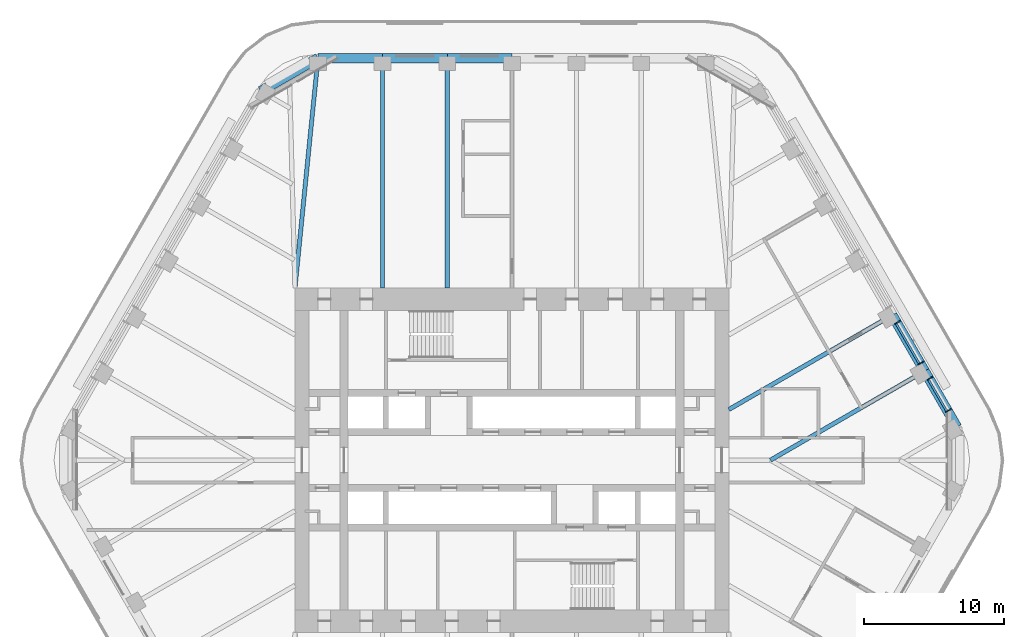
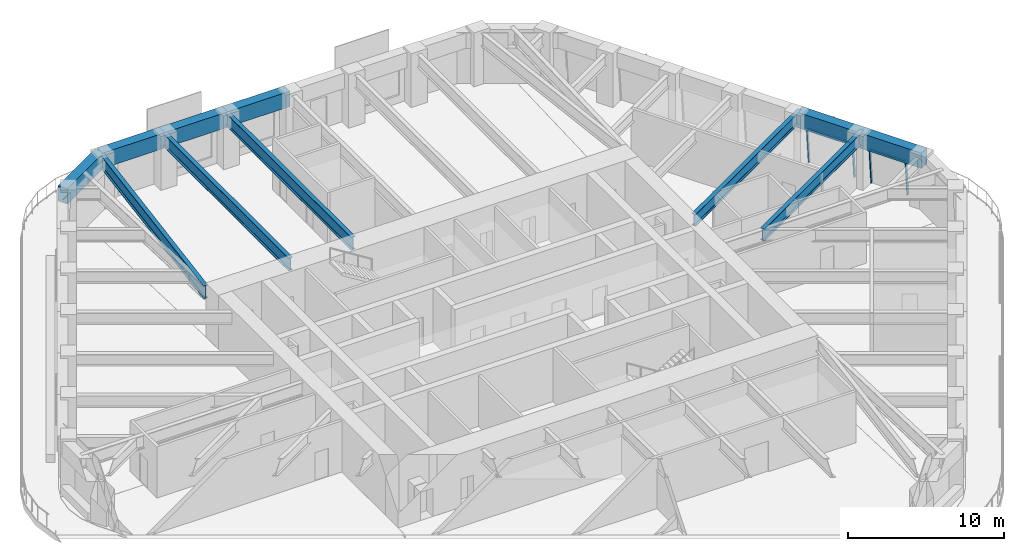
# One storey, part 9 of 20: 11 beams, 6 members, 2 elements without a shape of their own.
"""IFC4 building model written with IfcOpenShell, lengths in metres."""

import ifcopenshell
import ifcopenshell.guid

model = None  # the IFC model being written
_history = None  # IfcOwnerHistory: only IFC2X3 demands one
_inside = {}  # id of a spatial element -> (the spatial element, [elements in it])
_under = {}  # id of a project, library or spatial element -> (it, [spatial elements below it])
_declared = {}  # id of a project -> (the project, [libraries it declares])
_typed = {}  # id of a type object -> (the type object, [elements of that type])
_made_of = {}  # id of a material, layer set ... -> (it, [elements and type objects made of it])


def new_model(schema):
    """Start an empty IFC model of exactly this schema.

    Asked for "IFC4X3", IfcOpenShell would pick the latest addendum, in which some entities
    have other attributes; the version numbers below select the first issue.
    IFC2X3 requires an IfcOwnerHistory on every rooted entity: one is made here for all.
    """
    global model, _history
    if schema == "IFC4X3":
        model = ifcopenshell.file(schema_version=(4, 3, 0, 0))
    else:
        model = ifcopenshell.file(schema=schema)
    _inside.clear()
    _under.clear()
    _declared.clear()
    _typed.clear()
    _made_of.clear()
    _history = None
    if model.schema == "IFC2X3":
        org = make("IfcOrganization", Name="unknown")
        user = make(
            "IfcPersonAndOrganization",
            ThePerson=make("IfcPerson", FamilyName="unknown"),
            TheOrganization=org,
        )
        app = make(
            "IfcApplication",
            ApplicationDeveloper=org,
            Version="unknown",
            ApplicationFullName="unknown",
            ApplicationIdentifier="unknown",
        )
        _history = make(
            "IfcOwnerHistory",
            OwningUser=user,
            OwningApplication=app,
            ChangeAction="ADDED",
            CreationDate=0,
        )
    return model


def make(cls, **values):
    """One entity of the class cls with the attributes given. An attribute that is None is left unset."""
    return model.create_entity(
        cls, **{name: value for name, value in values.items() if value is not None}
    )


def rooted(cls, **values):
    """An entity with a GlobalId (a new one), such as an element, a storey or a relation."""
    return make(cls, GlobalId=ifcopenshell.guid.new(), OwnerHistory=_history, **values)


def si_unit(unit_type, name, prefix=None):
    """IfcSIUnit, for example si_unit("LENGTHUNIT", "METRE", prefix="MILLI")."""
    return make("IfcSIUnit", UnitType=unit_type, Prefix=prefix, Name=name)


def assignment(units):
    """IfcUnitAssignment: the units of a project."""
    return None if units is None else make("IfcUnitAssignment", Units=units)


def point(xyz):
    """IfcCartesianPoint."""
    return None if xyz is None else make("IfcCartesianPoint", Coordinates=xyz)


def direction(xyz):
    """IfcDirection."""
    return None if xyz is None else make("IfcDirection", DirectionRatios=xyz)


def frame(location, z_axis=None, x_axis=None):
    """IfcAxis2Placement3D, a coordinate frame: its origin and axes. An axis left out is left unset."""
    return make(
        "IfcAxis2Placement3D",
        Location=point(location),
        Axis=direction(z_axis),
        RefDirection=direction(x_axis),
    )


def frame_2d(location, x_axis=None):
    """IfcAxis2Placement2D, a coordinate frame in the plane: its origin and x axis."""
    return make(
        "IfcAxis2Placement2D", Location=point(location), RefDirection=direction(x_axis)
    )


def origin():
    """The frame at (0, 0, 0) with its axes left unset."""
    return frame((0.0, 0.0, 0.0))


def origin_2d():
    """The frame at (0, 0) in the plane with its x axis left unset."""
    return frame_2d((0.0, 0.0))


def place(relative_to, where):
    """IfcLocalPlacement: puts the frame where relative to a parent placement (None: the world)."""
    return make(
        "IfcLocalPlacement", PlacementRelTo=relative_to, RelativePlacement=where
    )


def context(
    kind, dimensions, precision=None, world=None, true_north=None, identifier=None
):
    """IfcGeometricRepresentationContext, for example the 3D "Model" context."""
    return make(
        "IfcGeometricRepresentationContext",
        ContextIdentifier=identifier,
        ContextType=kind,
        CoordinateSpaceDimension=dimensions,
        Precision=precision,
        WorldCoordinateSystem=world,
        TrueNorth=true_north,
    )


def subcontext(parent, identifier, kind, view, scale=None):
    """IfcGeometricRepresentationSubContext, for example "Body" below "Model"."""
    return make(
        "IfcGeometricRepresentationSubContext",
        ContextIdentifier=identifier,
        ContextType=kind,
        ParentContext=parent,
        TargetScale=scale,
        TargetView=view,
    )


def project(units=None, contexts=None):
    """IfcProject with its units and contexts."""
    return rooted(
        "IfcProject",
        Name="project",
        RepresentationContexts=contexts,
        UnitsInContext=assignment(units),
    )


def spatial(cls, under=None, at=None, **own):
    """A site, building, storey or space (cls), placed at a placement, below another one or the project."""
    s = rooted(cls, ObjectPlacement=at, **own)
    if under is not None:
        _under.setdefault(under.id(), (under, []))[1].append(s)
    return s


def profile(cls, at=None, kind="AREA", **sizes):
    """A parametric profile (cls). Its sizes go by their IFC names, for example OverallWidth=200.0."""
    return make(cls, ProfileType=kind, Position=at, **sizes)


def rectangle(**sizes):
    """IfcRectangleProfileDef."""
    return profile("IfcRectangleProfileDef", **sizes)


def i_section(**sizes):
    """IfcIShapeProfileDef."""
    return profile("IfcIShapeProfileDef", **sizes)


def extrude(swept, where, along, depth):
    """IfcExtrudedAreaSolid: the profile swept, set in the frame where, extruded along a direction by depth."""
    return make(
        "IfcExtrudedAreaSolid",
        SweptArea=swept,
        Position=where,
        ExtrudedDirection=direction(along),
        Depth=depth,
    )


def shape(context_of_items, identifier, shape_type, items):
    """IfcShapeRepresentation: the items that make up one representation, for example the "Body"."""
    return make(
        "IfcShapeRepresentation",
        ContextOfItems=context_of_items,
        RepresentationIdentifier=identifier,
        RepresentationType=shape_type,
        Items=items,
    )


def material(Name=None, Category=None):
    """IfcMaterial."""
    return make("IfcMaterial", Name=Name, Category=Category)


def material_profile(
    of_material, cross_section, Name=None, Category=None, Priority=None
):
    """IfcMaterialProfile: a cross section and its material."""
    return make(
        "IfcMaterialProfile",
        Name=Name,
        Material=of_material,
        Profile=cross_section,
        Priority=Priority,
        Category=Category,
    )


def profile_set(profiles, Name=None, composite=None):
    """IfcMaterialProfileSet."""
    return make(
        "IfcMaterialProfileSet",
        Name=Name,
        MaterialProfiles=profiles,
        CompositeProfile=composite,
    )


def made_of(thing, what):
    """Note that an element or type object is made of a material, layer set ...; save() writes the relation."""
    if what is not None:
        _made_of.setdefault(what.id(), (what, []))[1].append(thing)
    return thing


def type_object(cls, material=None, **own):
    """A type object (cls), such as IfcWallType, which elements share."""
    return made_of(rooted(cls, **own), material)


def element(
    cls,
    number,
    at=None,
    inside=None,
    cuts=None,
    type_object=None,
    material=None,
    context=None,
    identifier="Body",
    shape_type=None,
    held_by="IfcProductDefinitionShape",
    body=None,
    shapes=None,
    **own,
):
    """One element of the class cls, such as IfcWall. Its Tag is "e" and its number.

    at: its placement. inside: the storey or other place that contains it. cuts: it is an
    opening in that element (IfcRelVoidsElement). A single representation is given by context,
    identifier, shape_type and body (its items); several are given by shapes. held_by: the class
    of the entity that holds the representations. save() writes the other relations.
    """
    e = rooted(cls, Tag="e%d" % number, ObjectPlacement=at, **own)
    if body is not None:
        shapes = [shape(context, identifier, shape_type, body)]
    if shapes is not None:
        e.Representation = make(held_by, Representations=shapes)
    if inside is not None:
        _inside.setdefault(inside.id(), (inside, []))[1].append(e)
    if cuts is not None:
        rooted(
            "IfcRelVoidsElement", RelatingBuildingElement=cuts, RelatedOpeningElement=e
        )
    if type_object is not None:
        _typed.setdefault(type_object.id(), (type_object, []))[1].append(e)
    return made_of(e, material)


def aggregate(whole, parts):
    """IfcRelAggregates: a whole, such as a stair, and the parts it consists of."""
    return rooted("IfcRelAggregates", RelatingObject=whole, RelatedObjects=parts)


def save(model, path):
    """Write the relations noted so far, then the file.

    IfcRelAggregates (storeys below a building ...), IfcRelContainedInSpatialStructure (elements
    in a storey), IfcRelDefinesByType, IfcRelAssociatesMaterial and IfcRelDeclares: one each for
    every whole, place, type object, material and project.
    """
    for whole, parts in _under.values():
        aggregate(whole, parts)
    for where, things in _inside.values():
        rooted(
            "IfcRelContainedInSpatialStructure",
            RelatedElements=things,
            RelatingStructure=where,
        )
    for kind, things in _typed.values():
        rooted("IfcRelDefinesByType", RelatedObjects=things, RelatingType=kind)
    for what, things in _made_of.values():
        rooted("IfcRelAssociatesMaterial", RelatedObjects=things, RelatingMaterial=what)
    for by, libraries in _declared.values():
        rooted("IfcRelDeclares", RelatingContext=by, RelatedDefinitions=libraries)
    model.write(path)


model = new_model("IFC4")

# Units and contexts
model_context = context("Model", 3, precision=1e-05, world=origin(), true_north=direction((0.0, 1.0)))
body_context = subcontext(model_context, "Body", "Model", "MODEL_VIEW")
ifc_project = project(units=[si_unit("LENGTHUNIT", "METRE"), si_unit("AREAUNIT", "SQUARE_METRE"), si_unit("VOLUMEUNIT", "CUBIC_METRE"), si_unit("PLANEANGLEUNIT", "RADIAN"), si_unit("MASSUNIT", "GRAM", prefix="KILO")], contexts=[model_context])

# Site, building, storey
site_placement = place(None, origin())
site = spatial("IfcSite", under=ifc_project, at=site_placement, CompositionType="ELEMENT")
building_placement = place(site_placement, origin())
building = spatial("IfcBuilding", under=site, at=building_placement, Name="Tarfa Lantern Tower", CompositionType="ELEMENT")
storey_placement = place(building_placement, frame((0.0, 0.0, 257.5)))
storey = spatial("IfcBuildingStorey", under=building, at=storey_placement, Name="L58", CompositionType="ELEMENT", Elevation=257.5)

# Curtain wall, members
ifc_material_1 = material(Name="Aluminium framed curtain wall", Category="aluminium")
curtain_wall_type = type_object("IfcCurtainWallType", Name="CW3 CANTED GLAZING HIGH ZONE 2800", PredefinedType="USERDEFINED", material=ifc_material_1)
curtain_wall_1_placement = place(storey_placement, origin())
curtain_wall_1 = element("IfcCurtainWall", 1, at=curtain_wall_1_placement, inside=storey, type_object=curtain_wall_type, Name="CW3 NE L58", ObjectType="CURTAIN WALL", PredefinedType="USERDEFINED")
ifc_material_2 = material(Name="Aluminium mullion", Category="aluminium")
ifc_material_profile_1 = material_profile(ifc_material_2, rectangle(XDim=0.06494140625, YDim=0.199951171875, at=origin_2d()), Name="AL MULLION 65x200")
ifc_profile_set_1 = profile_set([ifc_material_profile_1], Name="Aluminium mullion")
member_type_1 = type_object("IfcMemberType", Name="CWM1 MULLION 65x200", PredefinedType="MULLION", material=ifc_profile_set_1)
member_1_placement = place(storey_placement, frame((31.2900390625, 3.60400390625, 0.0), z_axis=(-0.077032386753, -0.044465143199, 0.996036576854), x_axis=(0.499919672301, -0.866071776036, 0.0)))
member_1 = element("IfcMember", 2, at=member_1_placement, type_object=member_type_1, Name="CW3 mullion 1", PredefinedType="MULLION", context=body_context, shape_type="SweptSolid", body=[
    extrude(rectangle(XDim=0.06494140625, YDim=0.199951171875, at=origin_2d()), origin(), (0.0, 0.0, 1.0), 2.811279296875),
])
member_2_placement = place(storey_placement, frame((29.963134765625, 5.90234375, 0.0), z_axis=(-0.077032386753, -0.044465143199, 0.996036576854), x_axis=(0.499919672301, -0.866071776036, 0.0)))
member_2 = element("IfcMember", 3, at=member_2_placement, type_object=member_type_1, Name="CW3 mullion 2", PredefinedType="MULLION", context=body_context, shape_type="SweptSolid", body=[
    extrude(rectangle(XDim=0.06494140625, YDim=0.199951171875, at=origin_2d()), origin(), (0.0, 0.0, 1.0), 2.811279296875),
])

curtain_wall_2_placement = place(storey_placement, origin())
curtain_wall_2 = element("IfcCurtainWall", 4, at=curtain_wall_2_placement, inside=storey, type_object=curtain_wall_type, Name="CW3 NE L58", ObjectType="CURTAIN WALL", PredefinedType="USERDEFINED")
member_3_placement = place(storey_placement, frame((29.33056640625, 6.997802734375, 0.0), z_axis=(-0.076946055247, -0.044465440504, 0.996043236603), x_axis=(0.500342721131, -0.865827443207, 0.0)))
member_3 = element("IfcMember", 5, at=member_3_placement, type_object=member_type_1, Name="CW3 mullion 1", PredefinedType="MULLION", context=body_context, shape_type="SweptSolid", body=[
    extrude(rectangle(XDim=0.06494140625, YDim=0.199951171875, at=origin_2d()), origin(), (0.0, 0.0, 1.0), 2.811279296875),
])
member_4_placement = place(storey_placement, frame((27.65380859375, 9.90234375, 0.0), z_axis=(-0.077032386753, -0.044465143199, 0.996036576854), x_axis=(0.499919672301, -0.866071776036, 0.0)))
member_4 = element("IfcMember", 6, at=member_4_placement, type_object=member_type_1, Name="CW3 mullion 2", PredefinedType="MULLION", context=body_context, shape_type="SweptSolid", body=[
    extrude(rectangle(XDim=0.06494140625, YDim=0.199951171875, at=origin_2d()), origin(), (0.0, 0.0, 1.0), 2.811279296875),
])

# Member
ifc_material_3 = material(Name="Aluminium transom", Category="aluminium")
ifc_material_profile_2 = material_profile(ifc_material_3, rectangle(XDim=0.14990234375, YDim=0.06494140625, at=origin_2d()), Name="AL TRANSOM 150x65")
ifc_profile_set_2 = profile_set([ifc_material_profile_2], Name="Aluminium transom")
member_type_2 = type_object("IfcMemberType", Name="CWT1 TRANSOM 150x65", PredefinedType="USERDEFINED", material=ifc_profile_set_2)
member_5_placement = place(storey_placement, frame((31.059814453125, 3.508544921875, 2.767578125), z_axis=(-0.5000136139, 0.866017543653, 0.0), x_axis=(-0.866017543653, -0.5000136139, 0.0)))
member_5 = element("IfcMember", 7, at=member_5_placement, type_object=member_type_2, Name="CW3 transom 1.2", ObjectType="TRANSOM", PredefinedType="USERDEFINED", context=body_context, shape_type="SweptSolid", body=[
    extrude(rectangle(XDim=0.14990234375, YDim=0.06494140625, at=origin_2d()), origin(), (0.0, 0.0, 1.0), 2.5888671875),
])

aggregate(curtain_wall_1, [member_1, member_2, member_5])

member_6_placement = place(storey_placement, frame((29.100341796875, 6.90234375, 2.767578125), z_axis=(-0.499979497339, 0.866037240677, 0.0), x_axis=(-0.866037240677, -0.499979497339, 0.0)))
member_6 = element("IfcMember", 8, at=member_6_placement, type_object=member_type_2, Name="CW3 transom 1.2", ObjectType="TRANSOM", PredefinedType="USERDEFINED", context=body_context, shape_type="SweptSolid", body=[
    extrude(rectangle(XDim=0.14990234375, YDim=0.06494140625, at=origin_2d()), origin(), (0.0, 0.0, 1.0), 3.288818359375),
])

aggregate(curtain_wall_2, [member_3, member_4, member_6])

# Beams
ifc_material_4 = material(Name="Concrete C80/95", Category="concrete")
ifc_material_profile_3 = material_profile(ifc_material_4, rectangle(XDim=0.699951171875, YDim=1.199951171875, at=origin_2d()), Name="RC 700x1200")
ifc_profile_set_3 = profile_set([ifc_material_profile_3], Name="Concrete C80/95")
beam_type_1 = type_object("IfcBeamType", Name="EB3 RC 700x1200", PredefinedType="SPANDREL", material=ifc_profile_set_3)
beam_1_placement = place(storey_placement, frame((31.800537109375, 2.360107421875, 3.39990234375), z_axis=(-0.500027479704, 0.866009537788, 0.0), x_axis=(-0.866009537788, -0.500027479704, 0.0)))
element("IfcBeam", 9, at=beam_1_placement, inside=storey, type_object=beam_type_1, Name="Edge beam NE0", PredefinedType="SPANDREL", context=body_context, shape_type="SweptSolid", body=[
    extrude(rectangle(XDim=0.699951171875, YDim=1.199951171875, at=origin_2d()), origin(), (0.0, 0.0, 1.0), 4.618896484375),
])
beam_2_placement = place(storey_placement, frame((29.490966796875, 6.360107421875, 3.39990234375), z_axis=(-0.499987836815, 0.866032426089, 0.0), x_axis=(-0.866032426089, -0.499987836815, 0.0)))
element("IfcBeam", 10, at=beam_2_placement, inside=storey, type_object=beam_type_1, Name="Edge beam NE1", PredefinedType="SPANDREL", context=body_context, shape_type="SweptSolid", body=[
    extrude(rectangle(XDim=0.699951171875, YDim=1.199951171875, at=origin_2d()), origin(), (0.0, 0.0, 1.0), 4.61865234375),
])
beam_3_placement = place(storey_placement, frame((0.0, 28.719970703125, 3.39990234375), z_axis=(-1.0, 0.0, 0.0), x_axis=(0.0, -1.0, 0.0)))
element("IfcBeam", 11, at=beam_3_placement, inside=storey, type_object=beam_type_1, Name="Edge beam N3", PredefinedType="SPANDREL", context=body_context, shape_type="SweptSolid", body=[
    extrude(rectangle(XDim=0.699951171875, YDim=1.199951171875, at=origin_2d()), origin(), (0.0, 0.0, 1.0), 4.618896484375),
])
beam_4_placement = place(storey_placement, frame((-4.618896484375, 28.719970703125, 3.39990234375), z_axis=(-1.0, 0.0, 0.0), x_axis=(0.0, -1.0, 0.0)))
element("IfcBeam", 12, at=beam_4_placement, inside=storey, type_object=beam_type_1, Name="Edge beam N4", PredefinedType="SPANDREL", context=body_context, shape_type="SweptSolid", body=[
    extrude(rectangle(XDim=0.699951171875, YDim=1.199951171875, at=origin_2d()), origin(), (0.0, 0.0, 1.0), 4.61865234375),
])
beam_5_placement = place(storey_placement, frame((-9.237548828125, 28.719970703125, 3.39990234375), z_axis=(-1.0, 0.0, 0.0), x_axis=(0.0, -1.0, 0.0)))
element("IfcBeam", 13, at=beam_5_placement, inside=storey, type_object=beam_type_1, Name="Edge beam N5", PredefinedType="SPANDREL", context=body_context, shape_type="SweptSolid", body=[
    extrude(rectangle(XDim=0.699951171875, YDim=1.199951171875, at=origin_2d()), origin(), (0.0, 0.0, 1.0), 4.618896484375),
])
beam_6_placement = place(storey_placement, frame((-13.8564453125, 28.719970703125, 3.39990234375), z_axis=(-0.866038294681, -0.499977671647, 0.0), x_axis=(0.499977671647, -0.866038294681, 0.0)))
element("IfcBeam", 14, at=beam_6_placement, inside=storey, type_object=beam_type_1, Name="Edge beam N6", PredefinedType="SPANDREL", context=body_context, shape_type="SweptSolid", body=[
    extrude(rectangle(XDim=0.699951171875, YDim=1.199951171875, at=origin_2d()), origin(), (0.0, 0.0, 1.0), 4.719970703125),
])
ifc_material_5 = material(Name="Steel S460M", Category="steel")
ifc_material_profile_4 = material_profile(ifc_material_5, i_section(OverallWidth=0.302001953125, OverallDepth=1.008056640625, WebThickness=0.02099609375, FlangeThickness=0.0400390625, FilletRadius=0.030029296875, at=origin_2d()), Name="UB1016x305x349")
ifc_profile_set_4 = profile_set([ifc_material_profile_4], Name="Steel S460M")
beam_type_2 = type_object("IfcBeamType", Name="UB1016x305x349", PredefinedType="BEAM", material=ifc_profile_set_4)
for number, where, z_axis, x_axis, name in (
    (15, (-4.618896484375, 28.719970703125, 3.495849609375), (0.0, -1.0, 0.0), (1.0, 0.0, 0.0), "Floor beam N4"),
    (16, (-9.237548828125, 28.719970703125, 3.495849609375), (0.0, -1.0, 0.0), (1.0, 0.0, 0.0), "Floor beam N5"),
):
    element("IfcBeam", number, at=place(storey_placement, frame(where, z_axis=z_axis, x_axis=x_axis)), inside=storey, type_object=beam_type_2, Name=name, PredefinedType="BEAM", context=body_context, shape_type="SweptSolid", body=[
        extrude(i_section(OverallWidth=0.302001953125, OverallDepth=1.008056640625, WebThickness=0.02099609375, FlangeThickness=0.0400390625, FilletRadius=0.030029296875, at=origin_2d()), origin(), (0.0, 0.0, 1.0), 16.419921875),
    ])
beam_7_placement = place(storey_placement, frame((-13.8564453125, 28.719970703125, 3.495849609375), z_axis=(-0.099597466746, -0.995027810977, 0.0), x_axis=(0.995027810977, -0.099597466746, 0.0)))
element("IfcBeam", 17, at=beam_7_placement, inside=storey, type_object=beam_type_2, Name="Floor beam N6", PredefinedType="BEAM", context=body_context, shape_type="SweptSolid", body=[
    extrude(i_section(OverallWidth=0.302001953125, OverallDepth=1.008056640625, WebThickness=0.02099609375, FlangeThickness=0.0400390625, FilletRadius=0.030029296875, at=origin_2d()), origin(), (0.0, 0.0, 1.0), 16.501953125),
])
ifc_material_profile_5 = material_profile(ifc_material_5, i_section(OverallWidth=0.305419921875, OverallDepth=0.91845703125, WebThickness=0.017333984375, FlangeThickness=0.02783203125, FilletRadius=0.01904296875, at=origin_2d()), Name="UB914x305x253")
ifc_profile_set_5 = profile_set([ifc_material_profile_5], Name="Steel S460M")
beam_type_3 = type_object("IfcBeamType", Name="UB914x305x253", PredefinedType="BEAM", material=ifc_profile_set_5)
beam_8_placement = place(storey_placement, frame((29.490966796875, 6.360107421875, 3.540771484375), z_axis=(-0.866022258038, -0.500005448553, 0.0), x_axis=(0.500005448553, -0.866022258038, 0.0)))
element("IfcBeam", 18, at=beam_8_placement, inside=storey, type_object=beam_type_3, Name="Floor beam NE1", PredefinedType="BEAM", context=body_context, shape_type="SweptSolid", body=[
    extrude(i_section(OverallWidth=0.305419921875, OverallDepth=0.91845703125, WebThickness=0.017333984375, FlangeThickness=0.02783203125, FilletRadius=0.01904296875, at=origin_2d()), origin(), (0.0, 0.0, 1.0), 12.719970703125),
])
beam_9_placement = place(storey_placement, frame((27.181640625, 10.360107421875, 3.540771484375), z_axis=(-0.866018002818, -0.500012818631, 0.0), x_axis=(0.500012818631, -0.866018002818, 0.0)))
element("IfcBeam", 19, at=beam_9_placement, inside=storey, type_object=beam_type_3, Name="Floor beam NE2", PredefinedType="BEAM", context=body_context, shape_type="SweptSolid", body=[
    extrude(i_section(OverallWidth=0.305419921875, OverallDepth=0.91845703125, WebThickness=0.017333984375, FlangeThickness=0.02783203125, FilletRadius=0.01904296875, at=origin_2d()), origin(), (0.0, 0.0, 1.0), 13.489013671875),
])

save(model, "model.ifc")
